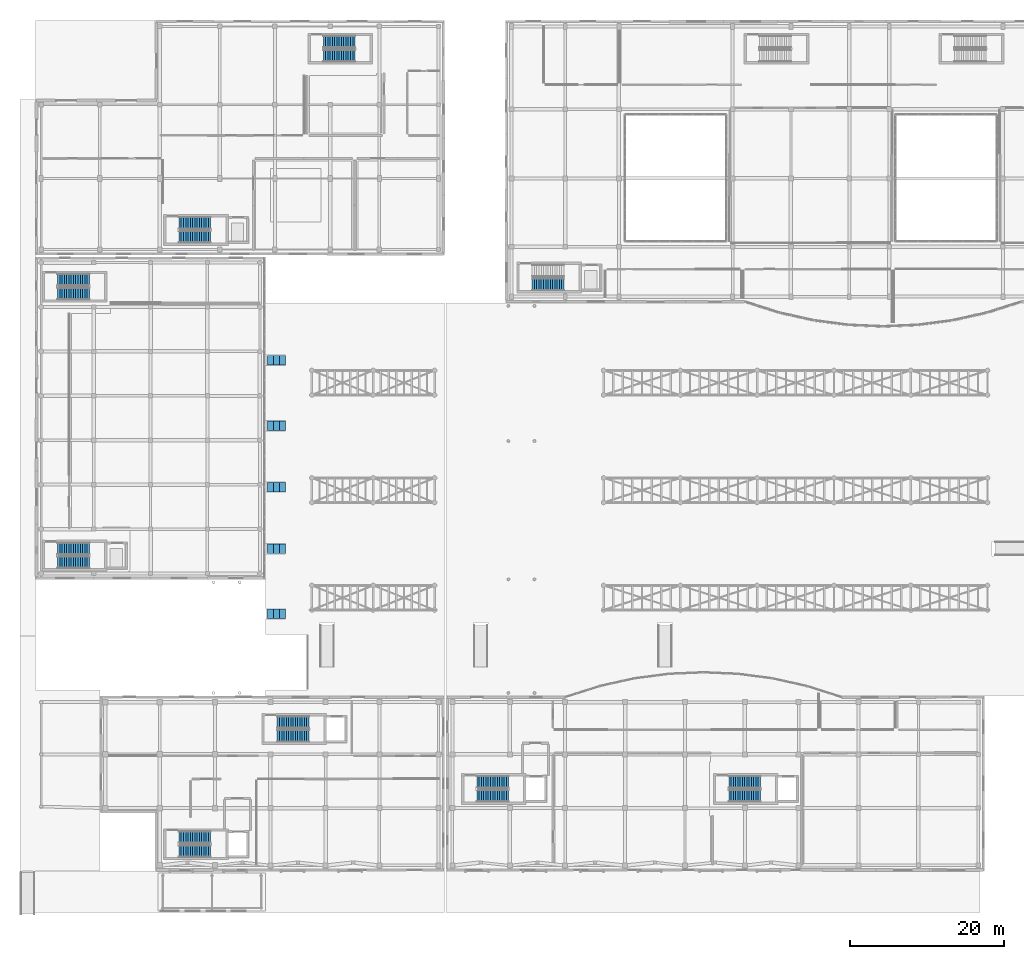
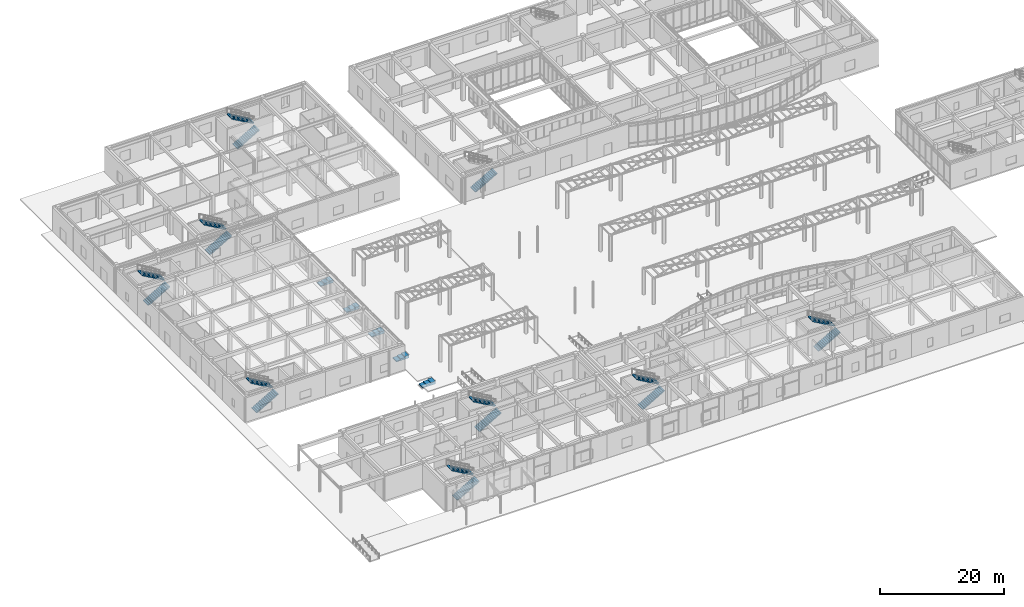
# One storey, part 108 of 121: 22 stair flights, 14 elements without a shape of their own.
"""IFC4 building model written with IfcOpenShell, lengths in metres."""

import ifcopenshell
import ifcopenshell.guid

model = None  # the IFC model being written
_history = None  # IfcOwnerHistory: only IFC2X3 demands one
_inside = {}  # id of a spatial element -> (the spatial element, [elements in it])
_under = {}  # id of a project, library or spatial element -> (it, [spatial elements below it])
_declared = {}  # id of a project -> (the project, [libraries it declares])
_typed = {}  # id of a type object -> (the type object, [elements of that type])
_made_of = {}  # id of a material, layer set ... -> (it, [elements and type objects made of it])


def new_model(schema):
    """Start an empty IFC model of exactly this schema.

    Asked for "IFC4X3", IfcOpenShell would pick the latest addendum, in which some entities
    have other attributes; the version numbers below select the first issue.
    IFC2X3 requires an IfcOwnerHistory on every rooted entity: one is made here for all.
    """
    global model, _history
    if schema == "IFC4X3":
        model = ifcopenshell.file(schema_version=(4, 3, 0, 0))
    else:
        model = ifcopenshell.file(schema=schema)
    _inside.clear()
    _under.clear()
    _declared.clear()
    _typed.clear()
    _made_of.clear()
    _history = None
    if model.schema == "IFC2X3":
        org = make("IfcOrganization", Name="unknown")
        user = make(
            "IfcPersonAndOrganization",
            ThePerson=make("IfcPerson", FamilyName="unknown"),
            TheOrganization=org,
        )
        app = make(
            "IfcApplication",
            ApplicationDeveloper=org,
            Version="unknown",
            ApplicationFullName="unknown",
            ApplicationIdentifier="unknown",
        )
        _history = make(
            "IfcOwnerHistory",
            OwningUser=user,
            OwningApplication=app,
            ChangeAction="ADDED",
            CreationDate=0,
        )
    return model


def make(cls, **values):
    """One entity of the class cls with the attributes given. An attribute that is None is left unset."""
    return model.create_entity(
        cls, **{name: value for name, value in values.items() if value is not None}
    )


def rooted(cls, **values):
    """An entity with a GlobalId (a new one), such as an element, a storey or a relation."""
    return make(cls, GlobalId=ifcopenshell.guid.new(), OwnerHistory=_history, **values)


def si_unit(unit_type, name, prefix=None):
    """IfcSIUnit, for example si_unit("LENGTHUNIT", "METRE", prefix="MILLI")."""
    return make("IfcSIUnit", UnitType=unit_type, Prefix=prefix, Name=name)


def assignment(units):
    """IfcUnitAssignment: the units of a project."""
    return None if units is None else make("IfcUnitAssignment", Units=units)


def point(xyz):
    """IfcCartesianPoint."""
    return None if xyz is None else make("IfcCartesianPoint", Coordinates=xyz)


def direction(xyz):
    """IfcDirection."""
    return None if xyz is None else make("IfcDirection", DirectionRatios=xyz)


def frame(location, z_axis=None, x_axis=None):
    """IfcAxis2Placement3D, a coordinate frame: its origin and axes. An axis left out is left unset."""
    return make(
        "IfcAxis2Placement3D",
        Location=point(location),
        Axis=direction(z_axis),
        RefDirection=direction(x_axis),
    )


def origin():
    """The frame at (0, 0, 0) with its axes left unset."""
    return frame((0.0, 0.0, 0.0))


def place(relative_to, where):
    """IfcLocalPlacement: puts the frame where relative to a parent placement (None: the world)."""
    return make(
        "IfcLocalPlacement", PlacementRelTo=relative_to, RelativePlacement=where
    )


def context(
    kind, dimensions, precision=None, world=None, true_north=None, identifier=None
):
    """IfcGeometricRepresentationContext, for example the 3D "Model" context."""
    return make(
        "IfcGeometricRepresentationContext",
        ContextIdentifier=identifier,
        ContextType=kind,
        CoordinateSpaceDimension=dimensions,
        Precision=precision,
        WorldCoordinateSystem=world,
        TrueNorth=true_north,
    )


def subcontext(parent, identifier, kind, view, scale=None):
    """IfcGeometricRepresentationSubContext, for example "Body" below "Model"."""
    return make(
        "IfcGeometricRepresentationSubContext",
        ContextIdentifier=identifier,
        ContextType=kind,
        ParentContext=parent,
        TargetScale=scale,
        TargetView=view,
    )


def project(units=None, contexts=None):
    """IfcProject with its units and contexts."""
    return rooted(
        "IfcProject",
        Name="project",
        RepresentationContexts=contexts,
        UnitsInContext=assignment(units),
    )


def spatial(cls, under=None, at=None, **own):
    """A site, building, storey or space (cls), placed at a placement, below another one or the project."""
    s = rooted(cls, ObjectPlacement=at, **own)
    if under is not None:
        _under.setdefault(under.id(), (under, []))[1].append(s)
    return s


def polyline(points):
    """IfcPolyline through the points."""
    return make("IfcPolyline", Points=[point(p) for p in points])


def outline(outer, holes=None, kind="AREA"):
    """IfcArbitraryClosedProfileDef: a profile drawn as a closed curve; with holes, ...WithVoids."""
    if holes is None:
        return make("IfcArbitraryClosedProfileDef", ProfileType=kind, OuterCurve=outer)
    return make(
        "IfcArbitraryProfileDefWithVoids",
        ProfileType=kind,
        OuterCurve=outer,
        InnerCurves=holes,
    )


def extrude(swept, where, along, depth):
    """IfcExtrudedAreaSolid: the profile swept, set in the frame where, extruded along a direction by depth."""
    return make(
        "IfcExtrudedAreaSolid",
        SweptArea=swept,
        Position=where,
        ExtrudedDirection=direction(along),
        Depth=depth,
    )


def shape(context_of_items, identifier, shape_type, items):
    """IfcShapeRepresentation: the items that make up one representation, for example the "Body"."""
    return make(
        "IfcShapeRepresentation",
        ContextOfItems=context_of_items,
        RepresentationIdentifier=identifier,
        RepresentationType=shape_type,
        Items=items,
    )


def material(Name=None, Category=None):
    """IfcMaterial."""
    return make("IfcMaterial", Name=Name, Category=Category)


def made_of(thing, what):
    """Note that an element or type object is made of a material, layer set ...; save() writes the relation."""
    if what is not None:
        _made_of.setdefault(what.id(), (what, []))[1].append(thing)
    return thing


def type_object(cls, material=None, **own):
    """A type object (cls), such as IfcWallType, which elements share."""
    return made_of(rooted(cls, **own), material)


def element(
    cls,
    number,
    at=None,
    inside=None,
    cuts=None,
    type_object=None,
    material=None,
    context=None,
    identifier="Body",
    shape_type=None,
    held_by="IfcProductDefinitionShape",
    body=None,
    shapes=None,
    **own,
):
    """One element of the class cls, such as IfcWall. Its Tag is "e" and its number.

    at: its placement. inside: the storey or other place that contains it. cuts: it is an
    opening in that element (IfcRelVoidsElement). A single representation is given by context,
    identifier, shape_type and body (its items); several are given by shapes. held_by: the class
    of the entity that holds the representations. save() writes the other relations.
    """
    e = rooted(cls, Tag="e%d" % number, ObjectPlacement=at, **own)
    if body is not None:
        shapes = [shape(context, identifier, shape_type, body)]
    if shapes is not None:
        e.Representation = make(held_by, Representations=shapes)
    if inside is not None:
        _inside.setdefault(inside.id(), (inside, []))[1].append(e)
    if cuts is not None:
        rooted(
            "IfcRelVoidsElement", RelatingBuildingElement=cuts, RelatedOpeningElement=e
        )
    if type_object is not None:
        _typed.setdefault(type_object.id(), (type_object, []))[1].append(e)
    return made_of(e, material)


def aggregate(whole, parts):
    """IfcRelAggregates: a whole, such as a stair, and the parts it consists of."""
    return rooted("IfcRelAggregates", RelatingObject=whole, RelatedObjects=parts)


def save(model, path):
    """Write the relations noted so far, then the file.

    IfcRelAggregates (storeys below a building ...), IfcRelContainedInSpatialStructure (elements
    in a storey), IfcRelDefinesByType, IfcRelAssociatesMaterial and IfcRelDeclares: one each for
    every whole, place, type object, material and project.
    """
    for whole, parts in _under.values():
        aggregate(whole, parts)
    for where, things in _inside.values():
        rooted(
            "IfcRelContainedInSpatialStructure",
            RelatedElements=things,
            RelatingStructure=where,
        )
    for kind, things in _typed.values():
        rooted("IfcRelDefinesByType", RelatedObjects=things, RelatingType=kind)
    for what, things in _made_of.values():
        rooted("IfcRelAssociatesMaterial", RelatedObjects=things, RelatingMaterial=what)
    for by, libraries in _declared.values():
        rooted("IfcRelDeclares", RelatingContext=by, RelatedDefinitions=libraries)
    model.write(path)


model = new_model("IFC4")

# Units and contexts
model_context = context("Model", 3, precision=1e-05, world=origin(), true_north=direction((0.0, 1.0)))
body_context = subcontext(model_context, "Body", "Model", "MODEL_VIEW")
ifc_project = project(units=[si_unit("LENGTHUNIT", "METRE"), si_unit("AREAUNIT", "SQUARE_METRE"), si_unit("VOLUMEUNIT", "CUBIC_METRE"), si_unit("PLANEANGLEUNIT", "RADIAN"), si_unit("MASSUNIT", "GRAM", prefix="KILO")], contexts=[model_context])

# Site, building, storey
site_placement = place(None, origin())
site = spatial("IfcSite", under=ifc_project, at=site_placement, CompositionType="ELEMENT")
building_placement = place(site_placement, origin())
building = spatial("IfcBuilding", under=site, at=building_placement, Name="Valcora Specialist Clinic", CompositionType="ELEMENT")
storey_placement = place(building_placement, origin())
storey = spatial("IfcBuildingStorey", under=building, at=storey_placement, Name="L00", CompositionType="ELEMENT", Elevation=0.0)

# Stair, stair flights
ifc_material = material(Name="Concrete C40/50", Category="concrete")
stair_type_1 = type_object("IfcStairType", Name="TY-ST-DG510", PredefinedType="HALF_TURN_STAIR", material=ifc_material)
stair_1_placement = place(storey_placement, origin())
stair_1 = element("IfcStair", 1, at=stair_1_placement, inside=storey, type_object=stair_type_1, Name="L00 Core C-V1A stair ST-V1A", PredefinedType="HALF_TURN_STAIR")
stair_flight_type_1 = type_object("IfcStairFlightType", Name="TY-SF-RC160", PredefinedType="STRAIGHT", material=ifc_material)
stair_flight_1_placement = place(storey_placement, frame((2.89990234375, 40.199951171875, 0.0), z_axis=(0.0, 0.0, 1.0), x_axis=(1.0, 0.0, 0.0)))
stair_flight_1 = element("IfcStairFlight", 2, at=stair_flight_1_placement, type_object=stair_flight_type_1, Name="ST-V1A flight 1", NumberOfRisers=15, NumberOfTreads=14, PredefinedType="STRAIGHT", RiserHeight=0.17, TreadLength=0.295, context=body_context, shape_type="SweptSolid", body=[
    extrude(outline(polyline([(0.0, 0.0), (0.0, 0.169921875), (0.294921875, 0.169921875), (0.294921875, 0.340087890625), (0.590087890625, 0.340087890625), (0.590087890625, 0.510009765625), (0.885009765625, 0.510009765625), (0.885009765625, 0.679931640625), (1.179931640625, 0.679931640625), (1.179931640625, 0.85009765625), (1.47509765625, 0.85009765625), (1.47509765625, 1.02001953125), (1.77001953125, 1.02001953125), (1.77001953125, 1.18994140625), (2.06494140625, 1.18994140625), (2.06494140625, 1.360107421875), (2.360107421875, 1.360107421875), (2.360107421875, 1.530029296875), (2.655029296875, 1.530029296875), (2.655029296875, 1.699951171875), (2.949951171875, 1.699951171875), (2.949951171875, 1.8701171875), (3.2451171875, 1.8701171875), (3.2451171875, 2.0400390625), (3.5400390625, 2.0400390625), (3.5400390625, 2.2099609375), (3.8349609375, 2.2099609375), (3.8349609375, 2.3798828125), (4.1298828125, 2.3798828125), (4.1298828125, 2.550048828125), (4.1298828125, 2.195556640625), (0.3203125, 0.0), (0.0, 0.0)])), frame((0.0, 0.800048828125, 0.0), z_axis=(0.0, -1.0, 0.0), x_axis=(1.0, 0.0, 0.0)), (0.0, 0.0, 1.0), 1.60009765625),
])
stair_flight_2_placement = place(storey_placement, frame((7.030029296875, 42.0, 2.550048828125), z_axis=(0.0, 0.0, 1.0), x_axis=(-1.0, 0.0, 0.0)))
stair_flight_2 = element("IfcStairFlight", 3, at=stair_flight_2_placement, type_object=stair_flight_type_1, Name="ST-V1A flight 2", NumberOfRisers=15, NumberOfTreads=14, PredefinedType="STRAIGHT", RiserHeight=0.17, TreadLength=0.295, context=body_context, shape_type="SweptSolid", body=[
    extrude(outline(polyline([(0.0, 0.0), (0.0, 0.169921875), (0.294921875, 0.169921875), (0.294921875, 0.340087890625), (0.590087890625, 0.340087890625), (0.590087890625, 0.510009765625), (0.885009765625, 0.510009765625), (0.885009765625, 0.679931640625), (1.179931640625, 0.679931640625), (1.179931640625, 0.85009765625), (1.47509765625, 0.85009765625), (1.47509765625, 1.02001953125), (1.77001953125, 1.02001953125), (1.77001953125, 1.18994140625), (2.06494140625, 1.18994140625), (2.06494140625, 1.360107421875), (2.360107421875, 1.360107421875), (2.360107421875, 1.530029296875), (2.655029296875, 1.530029296875), (2.655029296875, 1.699951171875), (2.949951171875, 1.699951171875), (2.949951171875, 1.8701171875), (3.2451171875, 1.8701171875), (3.2451171875, 2.0400390625), (3.5400390625, 2.0400390625), (3.5400390625, 2.2099609375), (3.8349609375, 2.2099609375), (3.8349609375, 2.3798828125), (4.1298828125, 2.3798828125), (4.1298828125, 2.550048828125), (4.1298828125, 2.195556640625), (0.3203125, 0.0), (0.0, 0.0)])), frame((0.0, 0.800048828125, 0.0), z_axis=(0.0, -1.0, 0.0), x_axis=(1.0, 0.0, 0.0)), (0.0, 0.0, 1.0), 1.60009765625),
])
aggregate(stair_1, [stair_flight_1, stair_flight_2])

stair_2_placement = place(storey_placement, origin())
stair_2 = element("IfcStair", 4, at=stair_2_placement, inside=storey, type_object=stair_type_1, Name="L00 Core C-V1B stair ST-V1B", PredefinedType="HALF_TURN_STAIR")
stair_flight_3_placement = place(storey_placement, frame((2.89990234375, 75.199951171875, 0.0), z_axis=(0.0, 0.0, 1.0), x_axis=(1.0, 0.0, 0.0)))
stair_flight_3 = element("IfcStairFlight", 5, at=stair_flight_3_placement, type_object=stair_flight_type_1, Name="ST-V1B flight 1", NumberOfRisers=15, NumberOfTreads=14, PredefinedType="STRAIGHT", RiserHeight=0.17, TreadLength=0.295, context=body_context, shape_type="SweptSolid", body=[
    extrude(outline(polyline([(0.0, 0.0), (0.0, 0.169921875), (0.294921875, 0.169921875), (0.294921875, 0.340087890625), (0.590087890625, 0.340087890625), (0.590087890625, 0.510009765625), (0.885009765625, 0.510009765625), (0.885009765625, 0.679931640625), (1.179931640625, 0.679931640625), (1.179931640625, 0.85009765625), (1.47509765625, 0.85009765625), (1.47509765625, 1.02001953125), (1.77001953125, 1.02001953125), (1.77001953125, 1.18994140625), (2.06494140625, 1.18994140625), (2.06494140625, 1.360107421875), (2.360107421875, 1.360107421875), (2.360107421875, 1.530029296875), (2.655029296875, 1.530029296875), (2.655029296875, 1.699951171875), (2.949951171875, 1.699951171875), (2.949951171875, 1.8701171875), (3.2451171875, 1.8701171875), (3.2451171875, 2.0400390625), (3.5400390625, 2.0400390625), (3.5400390625, 2.2099609375), (3.8349609375, 2.2099609375), (3.8349609375, 2.3798828125), (4.1298828125, 2.3798828125), (4.1298828125, 2.550048828125), (4.1298828125, 2.195556640625), (0.3203125, 0.0), (0.0, 0.0)])), frame((0.0, 0.800048828125, 0.0), z_axis=(0.0, -1.0, 0.0), x_axis=(1.0, 0.0, 0.0)), (0.0, 0.0, 1.0), 1.60009765625),
])
stair_flight_4_placement = place(storey_placement, frame((7.030029296875, 77.0, 2.550048828125), z_axis=(0.0, 0.0, 1.0), x_axis=(-1.0, 0.0, 0.0)))
stair_flight_4 = element("IfcStairFlight", 6, at=stair_flight_4_placement, type_object=stair_flight_type_1, Name="ST-V1B flight 2", NumberOfRisers=15, NumberOfTreads=14, PredefinedType="STRAIGHT", RiserHeight=0.17, TreadLength=0.295, context=body_context, shape_type="SweptSolid", body=[
    extrude(outline(polyline([(0.0, 0.0), (0.0, 0.169921875), (0.294921875, 0.169921875), (0.294921875, 0.340087890625), (0.590087890625, 0.340087890625), (0.590087890625, 0.510009765625), (0.885009765625, 0.510009765625), (0.885009765625, 0.679931640625), (1.179931640625, 0.679931640625), (1.179931640625, 0.85009765625), (1.47509765625, 0.85009765625), (1.47509765625, 1.02001953125), (1.77001953125, 1.02001953125), (1.77001953125, 1.18994140625), (2.06494140625, 1.18994140625), (2.06494140625, 1.360107421875), (2.360107421875, 1.360107421875), (2.360107421875, 1.530029296875), (2.655029296875, 1.530029296875), (2.655029296875, 1.699951171875), (2.949951171875, 1.699951171875), (2.949951171875, 1.8701171875), (3.2451171875, 1.8701171875), (3.2451171875, 2.0400390625), (3.5400390625, 2.0400390625), (3.5400390625, 2.2099609375), (3.8349609375, 2.2099609375), (3.8349609375, 2.3798828125), (4.1298828125, 2.3798828125), (4.1298828125, 2.550048828125), (4.1298828125, 2.195556640625), (0.3203125, 0.0), (0.0, 0.0)])), frame((0.0, 0.800048828125, 0.0), z_axis=(0.0, -1.0, 0.0), x_axis=(1.0, 0.0, 0.0)), (0.0, 0.0, 1.0), 1.60009765625),
])
aggregate(stair_2, [stair_flight_3, stair_flight_4])

stair_3_placement = place(storey_placement, origin())
stair_3 = element("IfcStair", 7, at=stair_3_placement, inside=storey, type_object=stair_type_1, Name="L00 Core C-V2A stair ST-V2A", PredefinedType="HALF_TURN_STAIR")
stair_flight_5_placement = place(storey_placement, frame((18.699951171875, 82.60009765625, 0.0), z_axis=(0.0, 0.0, 1.0), x_axis=(1.0, 0.0, 0.0)))
stair_flight_5 = element("IfcStairFlight", 8, at=stair_flight_5_placement, type_object=stair_flight_type_1, Name="ST-V2A flight 1", NumberOfRisers=15, NumberOfTreads=14, PredefinedType="STRAIGHT", RiserHeight=0.17, TreadLength=0.295, context=body_context, shape_type="SweptSolid", body=[
    extrude(outline(polyline([(0.0, 0.0), (0.0, 0.169921875), (0.294921875, 0.169921875), (0.294921875, 0.340087890625), (0.590087890625, 0.340087890625), (0.590087890625, 0.510009765625), (0.885009765625, 0.510009765625), (0.885009765625, 0.679931640625), (1.179931640625, 0.679931640625), (1.179931640625, 0.85009765625), (1.47509765625, 0.85009765625), (1.47509765625, 1.02001953125), (1.77001953125, 1.02001953125), (1.77001953125, 1.18994140625), (2.06494140625, 1.18994140625), (2.06494140625, 1.360107421875), (2.360107421875, 1.360107421875), (2.360107421875, 1.530029296875), (2.655029296875, 1.530029296875), (2.655029296875, 1.699951171875), (2.949951171875, 1.699951171875), (2.949951171875, 1.8701171875), (3.2451171875, 1.8701171875), (3.2451171875, 2.0400390625), (3.5400390625, 2.0400390625), (3.5400390625, 2.2099609375), (3.8349609375, 2.2099609375), (3.8349609375, 2.3798828125), (4.1298828125, 2.3798828125), (4.1298828125, 2.550048828125), (4.1298828125, 2.195556640625), (0.3203125, 0.0), (0.0, 0.0)])), frame((0.0, 0.800048828125, 0.0), z_axis=(0.0, -1.0, 0.0), x_axis=(1.0, 0.0, 0.0)), (0.0, 0.0, 1.0), 1.60009765625),
])
stair_flight_6_placement = place(storey_placement, frame((22.830078125, 84.39990234375, 2.550048828125), z_axis=(0.0, 0.0, 1.0), x_axis=(-1.0, 0.0, 0.0)))
stair_flight_6 = element("IfcStairFlight", 9, at=stair_flight_6_placement, type_object=stair_flight_type_1, Name="ST-V2A flight 2", NumberOfRisers=15, NumberOfTreads=14, PredefinedType="STRAIGHT", RiserHeight=0.17, TreadLength=0.295, context=body_context, shape_type="SweptSolid", body=[
    extrude(outline(polyline([(0.0, 0.0), (0.0, 0.169921875), (0.294921875, 0.169921875), (0.294921875, 0.340087890625), (0.590087890625, 0.340087890625), (0.590087890625, 0.510009765625), (0.885009765625, 0.510009765625), (0.885009765625, 0.679931640625), (1.179931640625, 0.679931640625), (1.179931640625, 0.85009765625), (1.47509765625, 0.85009765625), (1.47509765625, 1.02001953125), (1.77001953125, 1.02001953125), (1.77001953125, 1.18994140625), (2.06494140625, 1.18994140625), (2.06494140625, 1.360107421875), (2.360107421875, 1.360107421875), (2.360107421875, 1.530029296875), (2.655029296875, 1.530029296875), (2.655029296875, 1.699951171875), (2.949951171875, 1.699951171875), (2.949951171875, 1.8701171875), (3.2451171875, 1.8701171875), (3.2451171875, 2.0400390625), (3.5400390625, 2.0400390625), (3.5400390625, 2.2099609375), (3.8349609375, 2.2099609375), (3.8349609375, 2.3798828125), (4.1298828125, 2.3798828125), (4.1298828125, 2.550048828125), (4.1298828125, 2.195556640625), (0.3203125, 0.0), (0.0, 0.0)])), frame((0.0, 0.800048828125, 0.0), z_axis=(0.0, -1.0, 0.0), x_axis=(1.0, 0.0, 0.0)), (0.0, 0.0, 1.0), 1.60009765625),
])
aggregate(stair_3, [stair_flight_5, stair_flight_6])

stair_4_placement = place(storey_placement, origin())
stair_4 = element("IfcStair", 10, at=stair_4_placement, inside=storey, type_object=stair_type_1, Name="L00 Core C-V2B stair ST-V2B", PredefinedType="HALF_TURN_STAIR")
stair_flight_7_placement = place(storey_placement, frame((37.5, 106.199951171875, 0.0), z_axis=(0.0, 0.0, 1.0), x_axis=(1.0, 0.0, 0.0)))
stair_flight_7 = element("IfcStairFlight", 11, at=stair_flight_7_placement, type_object=stair_flight_type_1, Name="ST-V2B flight 1", NumberOfRisers=15, NumberOfTreads=14, PredefinedType="STRAIGHT", RiserHeight=0.17, TreadLength=0.295, context=body_context, shape_type="SweptSolid", body=[
    extrude(outline(polyline([(0.0, 0.0), (0.0, 0.169921875), (0.294921875, 0.169921875), (0.294921875, 0.340087890625), (0.590087890625, 0.340087890625), (0.590087890625, 0.510009765625), (0.885009765625, 0.510009765625), (0.885009765625, 0.679931640625), (1.179931640625, 0.679931640625), (1.179931640625, 0.85009765625), (1.47509765625, 0.85009765625), (1.47509765625, 1.02001953125), (1.77001953125, 1.02001953125), (1.77001953125, 1.18994140625), (2.06494140625, 1.18994140625), (2.06494140625, 1.360107421875), (2.360107421875, 1.360107421875), (2.360107421875, 1.530029296875), (2.655029296875, 1.530029296875), (2.655029296875, 1.699951171875), (2.949951171875, 1.699951171875), (2.949951171875, 1.8701171875), (3.2451171875, 1.8701171875), (3.2451171875, 2.0400390625), (3.5400390625, 2.0400390625), (3.5400390625, 2.2099609375), (3.8349609375, 2.2099609375), (3.8349609375, 2.3798828125), (4.1298828125, 2.3798828125), (4.1298828125, 2.550048828125), (4.1298828125, 2.195556640625), (0.3203125, 0.0), (0.0, 0.0)])), frame((0.0, 0.800048828125, 0.0), z_axis=(0.0, -1.0, 0.0), x_axis=(1.0, 0.0, 0.0)), (0.0, 0.0, 1.0), 1.60009765625),
])
stair_flight_8_placement = place(storey_placement, frame((41.6298828125, 108.0, 2.550048828125), z_axis=(0.0, 0.0, 1.0), x_axis=(-1.0, 0.0, 0.0)))
stair_flight_8 = element("IfcStairFlight", 12, at=stair_flight_8_placement, type_object=stair_flight_type_1, Name="ST-V2B flight 2", NumberOfRisers=15, NumberOfTreads=14, PredefinedType="STRAIGHT", RiserHeight=0.17, TreadLength=0.295, context=body_context, shape_type="SweptSolid", body=[
    extrude(outline(polyline([(0.0, 0.0), (0.0, 0.169921875), (0.294921875, 0.169921875), (0.294921875, 0.340087890625), (0.590087890625, 0.340087890625), (0.590087890625, 0.510009765625), (0.885009765625, 0.510009765625), (0.885009765625, 0.679931640625), (1.179931640625, 0.679931640625), (1.179931640625, 0.85009765625), (1.47509765625, 0.85009765625), (1.47509765625, 1.02001953125), (1.77001953125, 1.02001953125), (1.77001953125, 1.18994140625), (2.06494140625, 1.18994140625), (2.06494140625, 1.360107421875), (2.360107421875, 1.360107421875), (2.360107421875, 1.530029296875), (2.655029296875, 1.530029296875), (2.655029296875, 1.699951171875), (2.949951171875, 1.699951171875), (2.949951171875, 1.8701171875), (3.2451171875, 1.8701171875), (3.2451171875, 2.0400390625), (3.5400390625, 2.0400390625), (3.5400390625, 2.2099609375), (3.8349609375, 2.2099609375), (3.8349609375, 2.3798828125), (4.1298828125, 2.3798828125), (4.1298828125, 2.550048828125), (4.1298828125, 2.195556640625), (0.3203125, 0.0), (0.0, 0.0)])), frame((0.0, 0.800048828125, 0.0), z_axis=(0.0, -1.0, 0.0), x_axis=(1.0, 0.0, 0.0)), (0.0, 0.0, 1.0), 1.60009765625),
])
aggregate(stair_4, [stair_flight_7, stair_flight_8])

# Stair, stair flight
stair_5_placement = place(storey_placement, origin())
stair_5 = element("IfcStair", 13, at=stair_5_placement, inside=storey, type_object=stair_type_1, Name="L00 Core C-V4A stair ST-V4A", PredefinedType="HALF_TURN_STAIR")
stair_flight_9_placement = place(storey_placement, frame((64.699951171875, 76.39990234375, 0.0), z_axis=(0.0, 0.0, 1.0), x_axis=(1.0, 0.0, 0.0)))
stair_flight_9 = element("IfcStairFlight", 14, at=stair_flight_9_placement, type_object=stair_flight_type_1, Name="ST-V4A flight 1", NumberOfRisers=15, NumberOfTreads=14, PredefinedType="STRAIGHT", RiserHeight=0.17, TreadLength=0.295, context=body_context, shape_type="SweptSolid", body=[
    extrude(outline(polyline([(0.0, 0.0), (0.0, 0.169921875), (0.294921875, 0.169921875), (0.294921875, 0.340087890625), (0.590087890625, 0.340087890625), (0.590087890625, 0.510009765625), (0.885009765625, 0.510009765625), (0.885009765625, 0.679931640625), (1.179931640625, 0.679931640625), (1.179931640625, 0.85009765625), (1.47509765625, 0.85009765625), (1.47509765625, 1.02001953125), (1.77001953125, 1.02001953125), (1.77001953125, 1.18994140625), (2.06494140625, 1.18994140625), (2.06494140625, 1.360107421875), (2.360107421875, 1.360107421875), (2.360107421875, 1.530029296875), (2.655029296875, 1.530029296875), (2.655029296875, 1.699951171875), (2.949951171875, 1.699951171875), (2.949951171875, 1.8701171875), (3.2451171875, 1.8701171875), (3.2451171875, 2.0400390625), (3.5400390625, 2.0400390625), (3.5400390625, 2.2099609375), (3.8349609375, 2.2099609375), (3.8349609375, 2.3798828125), (4.1298828125, 2.3798828125), (4.1298828125, 2.550048828125), (4.1298828125, 2.195556640625), (0.3203125, 0.0), (0.0, 0.0)])), frame((0.0, 0.800048828125, 0.0), z_axis=(0.0, -1.0, 0.0), x_axis=(1.0, 0.0, 0.0)), (0.0, 0.0, 1.0), 1.60009765625),
])
aggregate(stair_5, [stair_flight_9])

# Stair, stair flights
stair_6_placement = place(storey_placement, origin())
stair_6 = element("IfcStair", 15, at=stair_6_placement, inside=storey, type_object=stair_type_1, Name="L00 Core C-V5A stair ST-V5A", PredefinedType="HALF_TURN_STAIR")
stair_flight_10_placement = place(storey_placement, frame((18.699951171875, 2.60009765625, 0.0), z_axis=(0.0, 0.0, 1.0), x_axis=(1.0, 0.0, 0.0)))
stair_flight_10 = element("IfcStairFlight", 16, at=stair_flight_10_placement, type_object=stair_flight_type_1, Name="ST-V5A flight 1", NumberOfRisers=15, NumberOfTreads=14, PredefinedType="STRAIGHT", RiserHeight=0.17, TreadLength=0.295, context=body_context, shape_type="SweptSolid", body=[
    extrude(outline(polyline([(0.0, 0.0), (0.0, 0.169921875), (0.294921875, 0.169921875), (0.294921875, 0.340087890625), (0.590087890625, 0.340087890625), (0.590087890625, 0.510009765625), (0.885009765625, 0.510009765625), (0.885009765625, 0.679931640625), (1.179931640625, 0.679931640625), (1.179931640625, 0.85009765625), (1.47509765625, 0.85009765625), (1.47509765625, 1.02001953125), (1.77001953125, 1.02001953125), (1.77001953125, 1.18994140625), (2.06494140625, 1.18994140625), (2.06494140625, 1.360107421875), (2.360107421875, 1.360107421875), (2.360107421875, 1.530029296875), (2.655029296875, 1.530029296875), (2.655029296875, 1.699951171875), (2.949951171875, 1.699951171875), (2.949951171875, 1.8701171875), (3.2451171875, 1.8701171875), (3.2451171875, 2.0400390625), (3.5400390625, 2.0400390625), (3.5400390625, 2.2099609375), (3.8349609375, 2.2099609375), (3.8349609375, 2.3798828125), (4.1298828125, 2.3798828125), (4.1298828125, 2.550048828125), (4.1298828125, 2.195556640625), (0.3203125, 0.0), (0.0, 0.0)])), frame((0.0, 0.800048828125, 0.0), z_axis=(0.0, -1.0, 0.0), x_axis=(1.0, 0.0, 0.0)), (0.0, 0.0, 1.0), 1.60009765625),
])
stair_flight_11_placement = place(storey_placement, frame((22.830078125, 4.39990234375, 2.550048828125), z_axis=(0.0, 0.0, 1.0), x_axis=(-1.0, 0.0, 0.0)))
stair_flight_11 = element("IfcStairFlight", 17, at=stair_flight_11_placement, type_object=stair_flight_type_1, Name="ST-V5A flight 2", NumberOfRisers=15, NumberOfTreads=14, PredefinedType="STRAIGHT", RiserHeight=0.17, TreadLength=0.295, context=body_context, shape_type="SweptSolid", body=[
    extrude(outline(polyline([(0.0, 0.0), (0.0, 0.169921875), (0.294921875, 0.169921875), (0.294921875, 0.340087890625), (0.590087890625, 0.340087890625), (0.590087890625, 0.510009765625), (0.885009765625, 0.510009765625), (0.885009765625, 0.679931640625), (1.179931640625, 0.679931640625), (1.179931640625, 0.85009765625), (1.47509765625, 0.85009765625), (1.47509765625, 1.02001953125), (1.77001953125, 1.02001953125), (1.77001953125, 1.18994140625), (2.06494140625, 1.18994140625), (2.06494140625, 1.360107421875), (2.360107421875, 1.360107421875), (2.360107421875, 1.530029296875), (2.655029296875, 1.530029296875), (2.655029296875, 1.699951171875), (2.949951171875, 1.699951171875), (2.949951171875, 1.8701171875), (3.2451171875, 1.8701171875), (3.2451171875, 2.0400390625), (3.5400390625, 2.0400390625), (3.5400390625, 2.2099609375), (3.8349609375, 2.2099609375), (3.8349609375, 2.3798828125), (4.1298828125, 2.3798828125), (4.1298828125, 2.550048828125), (4.1298828125, 2.195556640625), (0.3203125, 0.0), (0.0, 0.0)])), frame((0.0, 0.800048828125, 0.0), z_axis=(0.0, -1.0, 0.0), x_axis=(1.0, 0.0, 0.0)), (0.0, 0.0, 1.0), 1.60009765625),
])
aggregate(stair_6, [stair_flight_10, stair_flight_11])

stair_7_placement = place(storey_placement, origin())
stair_7 = element("IfcStair", 18, at=stair_7_placement, inside=storey, type_object=stair_type_1, Name="L00 Core C-V5B stair ST-V5B", PredefinedType="HALF_TURN_STAIR")
stair_flight_12_placement = place(storey_placement, frame((31.5, 17.60009765625, 0.0), z_axis=(0.0, 0.0, 1.0), x_axis=(1.0, 0.0, 0.0)))
stair_flight_12 = element("IfcStairFlight", 19, at=stair_flight_12_placement, type_object=stair_flight_type_1, Name="ST-V5B flight 1", NumberOfRisers=15, NumberOfTreads=14, PredefinedType="STRAIGHT", RiserHeight=0.17, TreadLength=0.295, context=body_context, shape_type="SweptSolid", body=[
    extrude(outline(polyline([(0.0, 0.0), (0.0, 0.169921875), (0.294921875, 0.169921875), (0.294921875, 0.340087890625), (0.590087890625, 0.340087890625), (0.590087890625, 0.510009765625), (0.885009765625, 0.510009765625), (0.885009765625, 0.679931640625), (1.179931640625, 0.679931640625), (1.179931640625, 0.85009765625), (1.47509765625, 0.85009765625), (1.47509765625, 1.02001953125), (1.77001953125, 1.02001953125), (1.77001953125, 1.18994140625), (2.06494140625, 1.18994140625), (2.06494140625, 1.360107421875), (2.360107421875, 1.360107421875), (2.360107421875, 1.530029296875), (2.655029296875, 1.530029296875), (2.655029296875, 1.699951171875), (2.949951171875, 1.699951171875), (2.949951171875, 1.8701171875), (3.2451171875, 1.8701171875), (3.2451171875, 2.0400390625), (3.5400390625, 2.0400390625), (3.5400390625, 2.2099609375), (3.8349609375, 2.2099609375), (3.8349609375, 2.3798828125), (4.1298828125, 2.3798828125), (4.1298828125, 2.550048828125), (4.1298828125, 2.195556640625), (0.3203125, 0.0), (0.0, 0.0)])), frame((0.0, 0.800048828125, 0.0), z_axis=(0.0, -1.0, 0.0), x_axis=(1.0, 0.0, 0.0)), (0.0, 0.0, 1.0), 1.60009765625),
])
stair_flight_13_placement = place(storey_placement, frame((35.6298828125, 19.39990234375, 2.550048828125), z_axis=(0.0, 0.0, 1.0), x_axis=(-1.0, 0.0, 0.0)))
stair_flight_13 = element("IfcStairFlight", 20, at=stair_flight_13_placement, type_object=stair_flight_type_1, Name="ST-V5B flight 2", NumberOfRisers=15, NumberOfTreads=14, PredefinedType="STRAIGHT", RiserHeight=0.17, TreadLength=0.295, context=body_context, shape_type="SweptSolid", body=[
    extrude(outline(polyline([(0.0, 0.0), (0.0, 0.169921875), (0.294921875, 0.169921875), (0.294921875, 0.340087890625), (0.590087890625, 0.340087890625), (0.590087890625, 0.510009765625), (0.885009765625, 0.510009765625), (0.885009765625, 0.679931640625), (1.179931640625, 0.679931640625), (1.179931640625, 0.85009765625), (1.47509765625, 0.85009765625), (1.47509765625, 1.02001953125), (1.77001953125, 1.02001953125), (1.77001953125, 1.18994140625), (2.06494140625, 1.18994140625), (2.06494140625, 1.360107421875), (2.360107421875, 1.360107421875), (2.360107421875, 1.530029296875), (2.655029296875, 1.530029296875), (2.655029296875, 1.699951171875), (2.949951171875, 1.699951171875), (2.949951171875, 1.8701171875), (3.2451171875, 1.8701171875), (3.2451171875, 2.0400390625), (3.5400390625, 2.0400390625), (3.5400390625, 2.2099609375), (3.8349609375, 2.2099609375), (3.8349609375, 2.3798828125), (4.1298828125, 2.3798828125), (4.1298828125, 2.550048828125), (4.1298828125, 2.195556640625), (0.3203125, 0.0), (0.0, 0.0)])), frame((0.0, 0.800048828125, 0.0), z_axis=(0.0, -1.0, 0.0), x_axis=(1.0, 0.0, 0.0)), (0.0, 0.0, 1.0), 1.60009765625),
])
aggregate(stair_7, [stair_flight_12, stair_flight_13])

stair_8_placement = place(storey_placement, origin())
stair_8 = element("IfcStair", 21, at=stair_8_placement, inside=storey, type_object=stair_type_1, Name="L00 Core C-V6A stair ST-V6A", PredefinedType="HALF_TURN_STAIR")
stair_flight_14_placement = place(storey_placement, frame((57.5, 9.800048828125, 0.0), z_axis=(0.0, 0.0, 1.0), x_axis=(1.0, 0.0, 0.0)))
stair_flight_14 = element("IfcStairFlight", 22, at=stair_flight_14_placement, type_object=stair_flight_type_1, Name="ST-V6A flight 1", NumberOfRisers=15, NumberOfTreads=14, PredefinedType="STRAIGHT", RiserHeight=0.17, TreadLength=0.295, context=body_context, shape_type="SweptSolid", body=[
    extrude(outline(polyline([(0.0, 0.0), (0.0, 0.169921875), (0.294921875, 0.169921875), (0.294921875, 0.340087890625), (0.590087890625, 0.340087890625), (0.590087890625, 0.510009765625), (0.885009765625, 0.510009765625), (0.885009765625, 0.679931640625), (1.179931640625, 0.679931640625), (1.179931640625, 0.85009765625), (1.47509765625, 0.85009765625), (1.47509765625, 1.02001953125), (1.77001953125, 1.02001953125), (1.77001953125, 1.18994140625), (2.06494140625, 1.18994140625), (2.06494140625, 1.360107421875), (2.360107421875, 1.360107421875), (2.360107421875, 1.530029296875), (2.655029296875, 1.530029296875), (2.655029296875, 1.699951171875), (2.949951171875, 1.699951171875), (2.949951171875, 1.8701171875), (3.2451171875, 1.8701171875), (3.2451171875, 2.0400390625), (3.5400390625, 2.0400390625), (3.5400390625, 2.2099609375), (3.8349609375, 2.2099609375), (3.8349609375, 2.3798828125), (4.1298828125, 2.3798828125), (4.1298828125, 2.550048828125), (4.1298828125, 2.195556640625), (0.3203125, 0.0), (0.0, 0.0)])), frame((0.0, 0.800048828125, 0.0), z_axis=(0.0, -1.0, 0.0), x_axis=(1.0, 0.0, 0.0)), (0.0, 0.0, 1.0), 1.60009765625),
])
stair_flight_15_placement = place(storey_placement, frame((61.6298828125, 11.60009765625, 2.550048828125), z_axis=(0.0, 0.0, 1.0), x_axis=(-1.0, 0.0, 0.0)))
stair_flight_15 = element("IfcStairFlight", 23, at=stair_flight_15_placement, type_object=stair_flight_type_1, Name="ST-V6A flight 2", NumberOfRisers=15, NumberOfTreads=14, PredefinedType="STRAIGHT", RiserHeight=0.17, TreadLength=0.295, context=body_context, shape_type="SweptSolid", body=[
    extrude(outline(polyline([(0.0, 0.0), (0.0, 0.169921875), (0.294921875, 0.169921875), (0.294921875, 0.340087890625), (0.590087890625, 0.340087890625), (0.590087890625, 0.510009765625), (0.885009765625, 0.510009765625), (0.885009765625, 0.679931640625), (1.179931640625, 0.679931640625), (1.179931640625, 0.85009765625), (1.47509765625, 0.85009765625), (1.47509765625, 1.02001953125), (1.77001953125, 1.02001953125), (1.77001953125, 1.18994140625), (2.06494140625, 1.18994140625), (2.06494140625, 1.360107421875), (2.360107421875, 1.360107421875), (2.360107421875, 1.530029296875), (2.655029296875, 1.530029296875), (2.655029296875, 1.699951171875), (2.949951171875, 1.699951171875), (2.949951171875, 1.8701171875), (3.2451171875, 1.8701171875), (3.2451171875, 2.0400390625), (3.5400390625, 2.0400390625), (3.5400390625, 2.2099609375), (3.8349609375, 2.2099609375), (3.8349609375, 2.3798828125), (4.1298828125, 2.3798828125), (4.1298828125, 2.550048828125), (4.1298828125, 2.195556640625), (0.3203125, 0.0), (0.0, 0.0)])), frame((0.0, 0.800048828125, 0.0), z_axis=(0.0, -1.0, 0.0), x_axis=(1.0, 0.0, 0.0)), (0.0, 0.0, 1.0), 1.60009765625),
])
aggregate(stair_8, [stair_flight_14, stair_flight_15])

stair_9_placement = place(storey_placement, origin())
stair_9 = element("IfcStair", 24, at=stair_9_placement, inside=storey, type_object=stair_type_1, Name="L00 Core C-V6B stair ST-V6B", PredefinedType="HALF_TURN_STAIR")
stair_flight_16_placement = place(storey_placement, frame((90.300048828125, 9.800048828125, 0.0), z_axis=(0.0, 0.0, 1.0), x_axis=(1.0, 0.0, 0.0)))
stair_flight_16 = element("IfcStairFlight", 25, at=stair_flight_16_placement, type_object=stair_flight_type_1, Name="ST-V6B flight 1", NumberOfRisers=15, NumberOfTreads=14, PredefinedType="STRAIGHT", RiserHeight=0.17, TreadLength=0.295, context=body_context, shape_type="SweptSolid", body=[
    extrude(outline(polyline([(0.0, 0.0), (0.0, 0.169921875), (0.294921875, 0.169921875), (0.294921875, 0.340087890625), (0.590087890625, 0.340087890625), (0.590087890625, 0.510009765625), (0.885009765625, 0.510009765625), (0.885009765625, 0.679931640625), (1.179931640625, 0.679931640625), (1.179931640625, 0.85009765625), (1.47509765625, 0.85009765625), (1.47509765625, 1.02001953125), (1.77001953125, 1.02001953125), (1.77001953125, 1.18994140625), (2.06494140625, 1.18994140625), (2.06494140625, 1.360107421875), (2.360107421875, 1.360107421875), (2.360107421875, 1.530029296875), (2.655029296875, 1.530029296875), (2.655029296875, 1.699951171875), (2.949951171875, 1.699951171875), (2.949951171875, 1.8701171875), (3.2451171875, 1.8701171875), (3.2451171875, 2.0400390625), (3.5400390625, 2.0400390625), (3.5400390625, 2.2099609375), (3.8349609375, 2.2099609375), (3.8349609375, 2.3798828125), (4.1298828125, 2.3798828125), (4.1298828125, 2.550048828125), (4.1298828125, 2.195556640625), (0.3203125, 0.0), (0.0, 0.0)])), frame((0.0, 0.800048828125, 0.0), z_axis=(0.0, -1.0, 0.0), x_axis=(1.0, 0.0, 0.0)), (0.0, 0.0, 1.0), 1.60009765625),
])
stair_flight_17_placement = place(storey_placement, frame((94.429931640625, 11.60009765625, 2.550048828125), z_axis=(0.0, 0.0, 1.0), x_axis=(-1.0, 0.0, 0.0)))
stair_flight_17 = element("IfcStairFlight", 26, at=stair_flight_17_placement, type_object=stair_flight_type_1, Name="ST-V6B flight 2", NumberOfRisers=15, NumberOfTreads=14, PredefinedType="STRAIGHT", RiserHeight=0.17, TreadLength=0.295, context=body_context, shape_type="SweptSolid", body=[
    extrude(outline(polyline([(0.0, 0.0), (0.0, 0.169921875), (0.294921875, 0.169921875), (0.294921875, 0.340087890625), (0.590087890625, 0.340087890625), (0.590087890625, 0.510009765625), (0.885009765625, 0.510009765625), (0.885009765625, 0.679931640625), (1.179931640625, 0.679931640625), (1.179931640625, 0.85009765625), (1.47509765625, 0.85009765625), (1.47509765625, 1.02001953125), (1.77001953125, 1.02001953125), (1.77001953125, 1.18994140625), (2.06494140625, 1.18994140625), (2.06494140625, 1.360107421875), (2.360107421875, 1.360107421875), (2.360107421875, 1.530029296875), (2.655029296875, 1.530029296875), (2.655029296875, 1.699951171875), (2.949951171875, 1.699951171875), (2.949951171875, 1.8701171875), (3.2451171875, 1.8701171875), (3.2451171875, 2.0400390625), (3.5400390625, 2.0400390625), (3.5400390625, 2.2099609375), (3.8349609375, 2.2099609375), (3.8349609375, 2.3798828125), (4.1298828125, 2.3798828125), (4.1298828125, 2.550048828125), (4.1298828125, 2.195556640625), (0.3203125, 0.0), (0.0, 0.0)])), frame((0.0, 0.800048828125, 0.0), z_axis=(0.0, -1.0, 0.0), x_axis=(1.0, 0.0, 0.0)), (0.0, 0.0, 1.0), 1.60009765625),
])
aggregate(stair_9, [stair_flight_16, stair_flight_17])

# Stair, stair flight
stair_type_2 = type_object("IfcStairType", Name="TY-ST-STR068", PredefinedType="STRAIGHT_RUN_STAIR", material=ifc_material)
stair_10_placement = place(storey_placement, origin())
stair_10 = element("IfcStair", 27, at=stair_10_placement, inside=storey, type_object=stair_type_2, Name="Garden terrace stair ST-SR-GD1", PredefinedType="STRAIGHT_RUN_STAIR")
stair_flight_type_2 = type_object("IfcStairFlightType", Name="TY-SF-RC180", PredefinedType="STRAIGHT", material=ifc_material)
stair_flight_18_placement = place(storey_placement, frame((30.199951171875, 33.5, -0.679931640625), z_axis=(0.0, 0.0, 1.0), x_axis=(1.0, 0.0, 0.0)))
stair_flight_18 = element("IfcStairFlight", 28, at=stair_flight_18_placement, type_object=stair_flight_type_2, Name="ST-SR-GD1 flight 1", NumberOfRisers=4, NumberOfTreads=3, PredefinedType="STRAIGHT", RiserHeight=0.17, TreadLength=0.8, context=body_context, shape_type="SweptSolid", body=[
    extrude(outline(polyline([(0.0, 0.0), (0.0, 0.169921875), (0.800048828125, 0.169921875), (0.800048828125, 0.340087890625), (1.60009765625, 0.340087890625), (1.60009765625, 0.510009765625), (2.39990234375, 0.510009765625), (2.39990234375, 0.679931640625), (2.39990234375, 0.00390625), (2.382080078125, 0.0), (0.0, 0.0)])), frame((0.0, 0.625, 0.0), z_axis=(0.0, -1.0, 0.0), x_axis=(1.0, 0.0, 0.0)), (0.0, 0.0, 1.0), 1.25),
])
aggregate(stair_10, [stair_flight_18])

stair_11_placement = place(storey_placement, origin())
stair_11 = element("IfcStair", 29, at=stair_11_placement, inside=storey, type_object=stair_type_2, Name="Garden terrace stair ST-SR-GD2", PredefinedType="STRAIGHT_RUN_STAIR")
stair_flight_19_placement = place(storey_placement, frame((30.199951171875, 42.0, -0.679931640625), z_axis=(0.0, 0.0, 1.0), x_axis=(1.0, 0.0, 0.0)))
stair_flight_19 = element("IfcStairFlight", 30, at=stair_flight_19_placement, type_object=stair_flight_type_2, Name="ST-SR-GD2 flight 1", NumberOfRisers=4, NumberOfTreads=3, PredefinedType="STRAIGHT", RiserHeight=0.17, TreadLength=0.8, context=body_context, shape_type="SweptSolid", body=[
    extrude(outline(polyline([(0.0, 0.0), (0.0, 0.169921875), (0.800048828125, 0.169921875), (0.800048828125, 0.340087890625), (1.60009765625, 0.340087890625), (1.60009765625, 0.510009765625), (2.39990234375, 0.510009765625), (2.39990234375, 0.679931640625), (2.39990234375, 0.00390625), (2.382080078125, 0.0), (0.0, 0.0)])), frame((0.0, 0.625, 0.0), z_axis=(0.0, -1.0, 0.0), x_axis=(1.0, 0.0, 0.0)), (0.0, 0.0, 1.0), 1.25),
])
aggregate(stair_11, [stair_flight_19])

stair_12_placement = place(storey_placement, origin())
stair_12 = element("IfcStair", 31, at=stair_12_placement, inside=storey, type_object=stair_type_2, Name="Garden terrace stair ST-SR-GD3", PredefinedType="STRAIGHT_RUN_STAIR")
stair_flight_20_placement = place(storey_placement, frame((30.199951171875, 50.0, -0.679931640625), z_axis=(0.0, 0.0, 1.0), x_axis=(1.0, 0.0, 0.0)))
stair_flight_20 = element("IfcStairFlight", 32, at=stair_flight_20_placement, type_object=stair_flight_type_2, Name="ST-SR-GD3 flight 1", NumberOfRisers=4, NumberOfTreads=3, PredefinedType="STRAIGHT", RiserHeight=0.17, TreadLength=0.8, context=body_context, shape_type="SweptSolid", body=[
    extrude(outline(polyline([(0.0, 0.0), (0.0, 0.169921875), (0.800048828125, 0.169921875), (0.800048828125, 0.340087890625), (1.60009765625, 0.340087890625), (1.60009765625, 0.510009765625), (2.39990234375, 0.510009765625), (2.39990234375, 0.679931640625), (2.39990234375, 0.00390625), (2.382080078125, 0.0), (0.0, 0.0)])), frame((0.0, 0.625, 0.0), z_axis=(0.0, -1.0, 0.0), x_axis=(1.0, 0.0, 0.0)), (0.0, 0.0, 1.0), 1.25),
])
aggregate(stair_12, [stair_flight_20])

stair_13_placement = place(storey_placement, origin())
stair_13 = element("IfcStair", 33, at=stair_13_placement, inside=storey, type_object=stair_type_2, Name="Garden terrace stair ST-SR-GD4", PredefinedType="STRAIGHT_RUN_STAIR")
stair_flight_21_placement = place(storey_placement, frame((30.199951171875, 58.0, -0.679931640625), z_axis=(0.0, 0.0, 1.0), x_axis=(1.0, 0.0, 0.0)))
stair_flight_21 = element("IfcStairFlight", 34, at=stair_flight_21_placement, type_object=stair_flight_type_2, Name="ST-SR-GD4 flight 1", NumberOfRisers=4, NumberOfTreads=3, PredefinedType="STRAIGHT", RiserHeight=0.17, TreadLength=0.8, context=body_context, shape_type="SweptSolid", body=[
    extrude(outline(polyline([(0.0, 0.0), (0.0, 0.169921875), (0.800048828125, 0.169921875), (0.800048828125, 0.340087890625), (1.60009765625, 0.340087890625), (1.60009765625, 0.510009765625), (2.39990234375, 0.510009765625), (2.39990234375, 0.679931640625), (2.39990234375, 0.00390625), (2.382080078125, 0.0), (0.0, 0.0)])), frame((0.0, 0.625, 0.0), z_axis=(0.0, -1.0, 0.0), x_axis=(1.0, 0.0, 0.0)), (0.0, 0.0, 1.0), 1.25),
])
aggregate(stair_13, [stair_flight_21])

stair_14_placement = place(storey_placement, origin())
stair_14 = element("IfcStair", 35, at=stair_14_placement, inside=storey, type_object=stair_type_2, Name="Garden terrace stair ST-SR-GD5", PredefinedType="STRAIGHT_RUN_STAIR")
stair_flight_22_placement = place(storey_placement, frame((30.199951171875, 66.5, -0.679931640625), z_axis=(0.0, 0.0, 1.0), x_axis=(1.0, 0.0, 0.0)))
stair_flight_22 = element("IfcStairFlight", 36, at=stair_flight_22_placement, type_object=stair_flight_type_2, Name="ST-SR-GD5 flight 1", NumberOfRisers=4, NumberOfTreads=3, PredefinedType="STRAIGHT", RiserHeight=0.17, TreadLength=0.8, context=body_context, shape_type="SweptSolid", body=[
    extrude(outline(polyline([(0.0, 0.0), (0.0, 0.169921875), (0.800048828125, 0.169921875), (0.800048828125, 0.340087890625), (1.60009765625, 0.340087890625), (1.60009765625, 0.510009765625), (2.39990234375, 0.510009765625), (2.39990234375, 0.679931640625), (2.39990234375, 0.00390625), (2.382080078125, 0.0), (0.0, 0.0)])), frame((0.0, 0.625, 0.0), z_axis=(0.0, -1.0, 0.0), x_axis=(1.0, 0.0, 0.0)), (0.0, 0.0, 1.0), 1.25),
])
aggregate(stair_14, [stair_flight_22])

save(model, "model.ifc")
